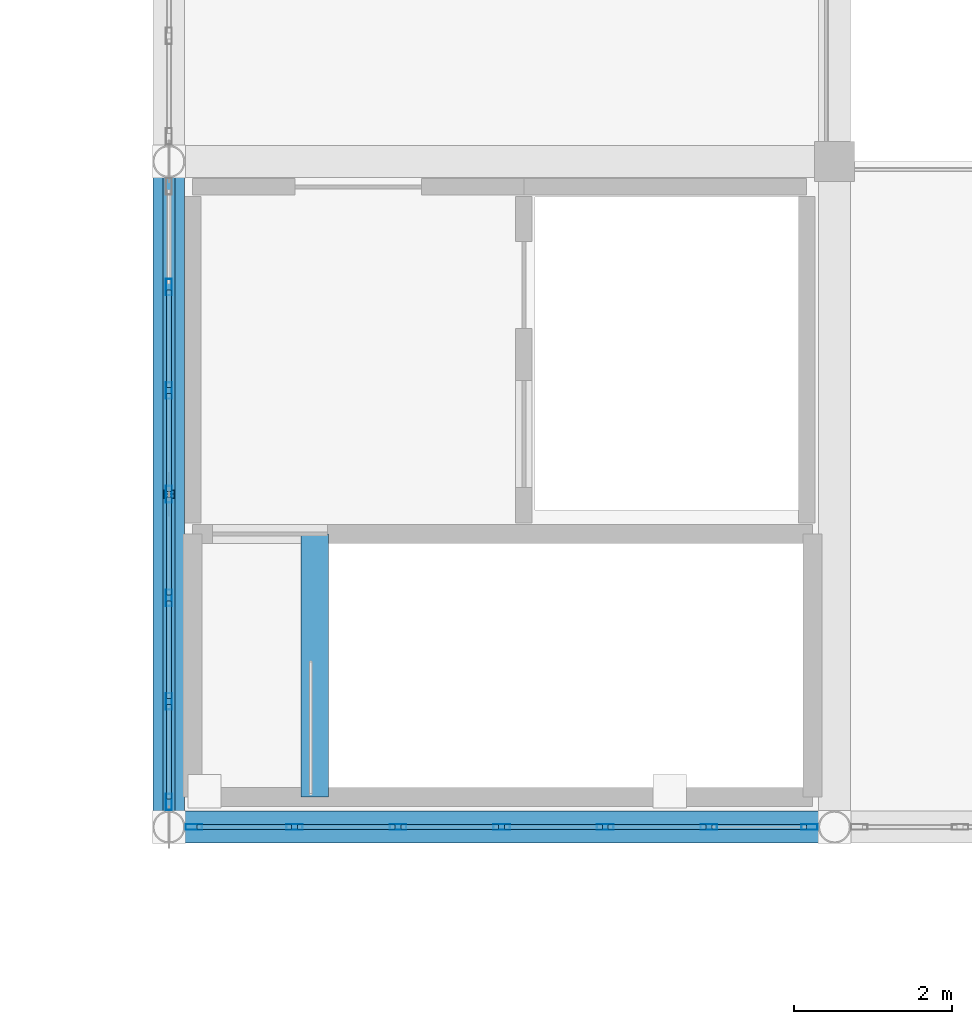
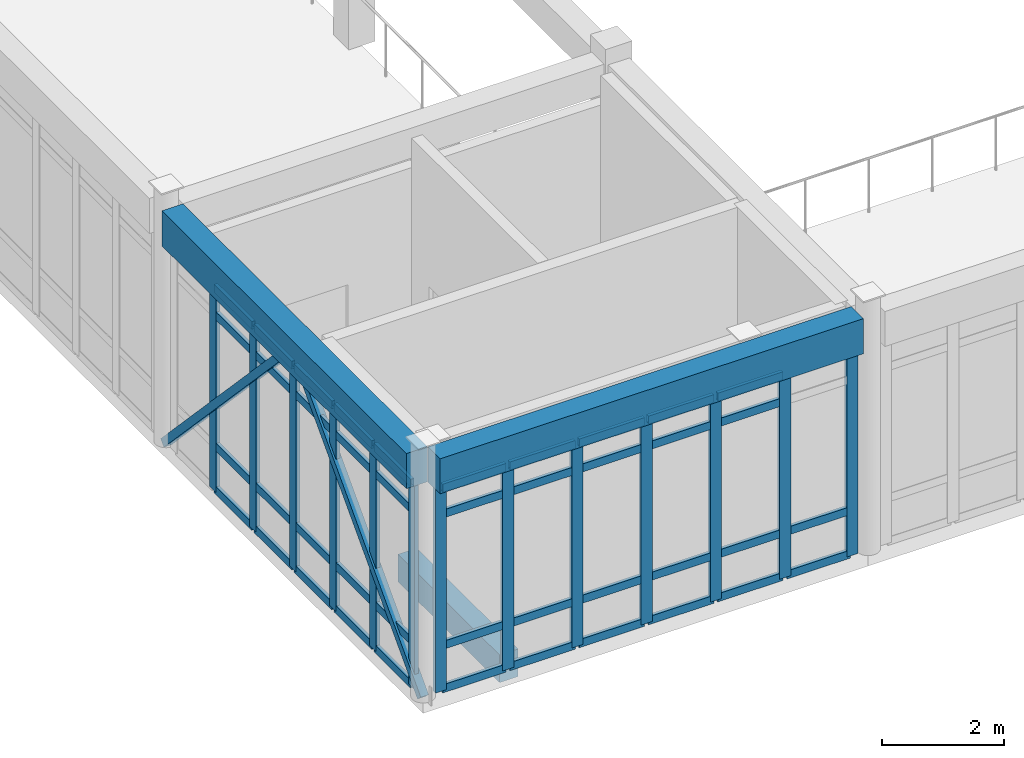
# One storey, part 9 of 134: 57 members, 3 beams, 2 elements without a shape of their own.
"""IFC4 building model written with IfcOpenShell, lengths in metres."""

from ifc_helpers import new_model, si_unit, direction, frame, origin, origin_2d, place, context, subcontext, project, spatial, rectangle, hollow_rectangle, extrude, material, layer, layer_set, material_profile, profile_set, type_object, element, aggregate, save


model = new_model("IFC4")

# Units and contexts
model_context = context("Model", 3, precision=1e-05, world=origin(), true_north=direction((0.0, 1.0)))
body_context = subcontext(model_context, "Body", "Model", "MODEL_VIEW")
ifc_project = project(units=[si_unit("LENGTHUNIT", "METRE"), si_unit("AREAUNIT", "SQUARE_METRE"), si_unit("VOLUMEUNIT", "CUBIC_METRE"), si_unit("PLANEANGLEUNIT", "RADIAN"), si_unit("MASSUNIT", "GRAM", prefix="KILO")], contexts=[model_context])

# Site, building, storey
site_placement = place(None, origin())
site = spatial("IfcSite", under=ifc_project, at=site_placement, CompositionType="ELEMENT")
building_placement = place(site_placement, origin())
building = spatial("IfcBuilding", under=site, at=building_placement, Name="Bramfleet General Hospital", CompositionType="ELEMENT")
storey_placement = place(building_placement, frame((0.0, 0.0, 9.300048828125)))
storey = spatial("IfcBuildingStorey", under=building, at=storey_placement, Name="L02", CompositionType="ELEMENT", Elevation=9.300048828125)

# Beams
ifc_material_1 = material(Name="Concrete C35/45", Category="concrete")
ifc_material_profile_1 = material_profile(ifc_material_1, rectangle(XDim=0.35009765625, YDim=0.550048828125, at=origin_2d()), Name="RC BM 550x350")
ifc_profile_set_1 = profile_set([ifc_material_profile_1], Name="Concrete C35/45")
beam_type_1 = type_object("IfcBeamType", Name="BM-RC550", PredefinedType="BEAM", material=ifc_profile_set_1)
beam_1_placement = place(storey_placement, frame((52.239990234375, 17.179931640625, -0.275146484375), z_axis=(0.0, 1.0, 0.0), x_axis=(-1.0, 0.0, 0.0)))
element("IfcBeam", 1, at=beam_1_placement, inside=storey, type_object=beam_type_1, Name="L02 C1 Stairwell Trimmer Beam", PredefinedType="BEAM", context=body_context, shape_type="SweptSolid", body=[
    extrude(rectangle(XDim=0.35009765625, YDim=0.550048828125, at=origin_2d()), origin(), (0.0, 0.0, 1.0), 3.320068359375),
])
ifc_material_profile_2 = material_profile(ifc_material_1, rectangle(XDim=0.39990234375, YDim=0.699951171875, at=origin_2d()), Name="RC SP 700x400")
ifc_profile_set_2 = profile_set([ifc_material_profile_2], Name="Concrete C35/45")
beam_type_2 = type_object("IfcBeamType", Name="BM-SP700", PredefinedType="SPANDREL", material=ifc_profile_set_2)
beam_2_placement = place(storey_placement, frame((50.603271484375, 16.800048828125, 4.429931640625), z_axis=(1.0, 0.0, 0.0), x_axis=(0.0, 1.0, 0.0)))
element("IfcBeam", 2, at=beam_2_placement, inside=storey, type_object=beam_type_2, Name="L02 Grid Beam X 06-02", PredefinedType="SPANDREL", context=body_context, shape_type="SweptSolid", body=[
    extrude(rectangle(XDim=0.39990234375, YDim=0.699951171875, at=origin_2d()), origin(), (0.0, 0.0, 1.0), 7.993408203125),
])
beam_3_placement = place(storey_placement, frame((50.39990234375, 17.003173828125, 4.429931640625), z_axis=(0.0, 1.0, 0.0), x_axis=(-1.0, 0.0, 0.0)))
element("IfcBeam", 3, at=beam_3_placement, inside=storey, type_object=beam_type_2, Name="L02 Grid Beam Y 06-02", PredefinedType="SPANDREL", context=body_context, shape_type="SweptSolid", body=[
    extrude(rectangle(XDim=0.39990234375, YDim=0.699951171875, at=origin_2d()), origin(), (0.0, 0.0, 1.0), 7.99365234375),
])

# Curtain wall, members
ifc_material_2 = material(Name="Anodised aluminium and low-E triple glazing", Category="aluminium")
ifc_layer_1 = layer(ifc_material_2, 0.179931640625, Name="CWT-CW-07")
ifc_layer_set_1 = layer_set([ifc_layer_1], Name="Anodised aluminium and low-E triple glazing")
curtain_wall_type_1 = type_object("IfcCurtainWallType", Name="CWT-CW-07", PredefinedType="USERDEFINED", material=ifc_layer_set_1)
curtain_wall_1_placement = place(storey_placement, origin())
curtain_wall_1 = element("IfcCurtainWall", 4, at=curtain_wall_1_placement, inside=storey, type_object=curtain_wall_type_1, Name="L02 Curtain Wall 133", ObjectType="Unitised curtain wall", PredefinedType="USERDEFINED")
ifc_material_3 = material(Name="Anodised aluminium EN AW-6060", Category="aluminium")
ifc_material_profile_3 = material_profile(ifc_material_3, hollow_rectangle(XDim=0.074951171875, YDim=0.2099609375, WallThickness=0.00439453125, at=origin_2d()), Name="ALU 210x75x4.5")
ifc_profile_set_3 = profile_set([ifc_material_profile_3], Name="Anodised aluminium EN AW-6060")
member_type_1 = type_object("IfcMemberType", Name="CWM-ALU210", PredefinedType="MULLION", material=ifc_profile_set_3)
member_1_placement = place(storey_placement, frame((58.484619140625, 16.800048828125, 0.0), z_axis=(0.0, 0.0, 1.0), x_axis=(0.0, -1.0, 0.0)))
member_1 = element("IfcMember", 5, at=member_1_placement, type_object=member_type_1, Name="CW-07 mullion 1", PredefinedType="MULLION", context=body_context, shape_type="SweptSolid", body=[
    extrude(hollow_rectangle(XDim=0.074951171875, YDim=0.2099609375, WallThickness=0.00439453125, at=origin_2d()), origin(), (0.0, 0.0, 1.0), 4.070068359375),
])
member_2_placement = place(storey_placement, frame((57.214599609375, 16.800048828125, 0.0), z_axis=(0.0, 0.0, 1.0), x_axis=(0.0, -1.0, 0.0)))
member_2 = element("IfcMember", 6, at=member_2_placement, type_object=member_type_1, Name="CW-07 mullion 2", PredefinedType="MULLION", context=body_context, shape_type="SweptSolid", body=[
    extrude(hollow_rectangle(XDim=0.074951171875, YDim=0.2099609375, WallThickness=0.00439453125, at=origin_2d()), origin(), (0.0, 0.0, 1.0), 4.070068359375),
])
member_3_placement = place(storey_placement, frame((55.9072265625, 16.800048828125, 0.0), z_axis=(0.0, 0.0, 1.0), x_axis=(0.0, -1.0, 0.0)))
member_3 = element("IfcMember", 7, at=member_3_placement, type_object=member_type_1, Name="CW-07 mullion 3", PredefinedType="MULLION", context=body_context, shape_type="SweptSolid", body=[
    extrude(hollow_rectangle(XDim=0.074951171875, YDim=0.2099609375, WallThickness=0.00439453125, at=origin_2d()), origin(), (0.0, 0.0, 1.0), 4.070068359375),
])
member_4_placement = place(storey_placement, frame((54.60009765625, 16.800048828125, 0.0), z_axis=(0.0, 0.0, 1.0), x_axis=(0.0, -1.0, 0.0)))
member_4 = element("IfcMember", 8, at=member_4_placement, type_object=member_type_1, Name="CW-07 mullion 4", PredefinedType="MULLION", context=body_context, shape_type="SweptSolid", body=[
    extrude(hollow_rectangle(XDim=0.074951171875, YDim=0.2099609375, WallThickness=0.00439453125, at=origin_2d()), origin(), (0.0, 0.0, 1.0), 4.070068359375),
])
member_5_placement = place(storey_placement, frame((53.292724609375, 16.800048828125, 0.0), z_axis=(0.0, 0.0, 1.0), x_axis=(0.0, -1.0, 0.0)))
member_5 = element("IfcMember", 9, at=member_5_placement, type_object=member_type_1, Name="CW-07 mullion 5", PredefinedType="MULLION", context=body_context, shape_type="SweptSolid", body=[
    extrude(hollow_rectangle(XDim=0.074951171875, YDim=0.2099609375, WallThickness=0.00439453125, at=origin_2d()), origin(), (0.0, 0.0, 1.0), 4.070068359375),
])
member_6_placement = place(storey_placement, frame((51.9853515625, 16.800048828125, 0.0), z_axis=(0.0, 0.0, 1.0), x_axis=(0.0, -1.0, 0.0)))
member_6 = element("IfcMember", 10, at=member_6_placement, type_object=member_type_1, Name="CW-07 mullion 6", PredefinedType="MULLION", context=body_context, shape_type="SweptSolid", body=[
    extrude(hollow_rectangle(XDim=0.074951171875, YDim=0.2099609375, WallThickness=0.00439453125, at=origin_2d()), origin(), (0.0, 0.0, 1.0), 4.070068359375),
])
member_7_placement = place(storey_placement, frame((50.715576171875, 16.800048828125, 0.0), z_axis=(0.0, 0.0, 1.0), x_axis=(0.0, -1.0, 0.0)))
member_7 = element("IfcMember", 11, at=member_7_placement, type_object=member_type_1, Name="CW-07 mullion 7", PredefinedType="MULLION", context=body_context, shape_type="SweptSolid", body=[
    extrude(hollow_rectangle(XDim=0.074951171875, YDim=0.2099609375, WallThickness=0.00439453125, at=origin_2d()), origin(), (0.0, 0.0, 1.0), 4.070068359375),
])

ifc_layer_2 = layer(ifc_material_2, 0.179931640625, Name="CWT-CW-08")
ifc_layer_set_2 = layer_set([ifc_layer_2], Name="Anodised aluminium and low-E triple glazing")
curtain_wall_type_2 = type_object("IfcCurtainWallType", Name="CWT-CW-08", PredefinedType="USERDEFINED", material=ifc_layer_set_2)
curtain_wall_2_placement = place(storey_placement, origin())
curtain_wall_2 = element("IfcCurtainWall", 12, at=curtain_wall_2_placement, inside=storey, type_object=curtain_wall_type_2, Name="L02 Curtain Wall 134", ObjectType="Unitised curtain wall", PredefinedType="USERDEFINED")
member_8_placement = place(storey_placement, frame((50.39990234375, 17.115478515625, 0.0), z_axis=(0.0, 0.0, 1.0), x_axis=(-1.0, 0.0, 0.0)))
member_8 = element("IfcMember", 13, at=member_8_placement, type_object=member_type_1, Name="CW-08 mullion 1", PredefinedType="MULLION", context=body_context, shape_type="SweptSolid", body=[
    extrude(hollow_rectangle(XDim=0.074951171875, YDim=0.2099609375, WallThickness=0.00439453125, at=origin_2d()), origin(), (0.0, 0.0, 1.0), 4.070068359375),
])
member_9_placement = place(storey_placement, frame((50.39990234375, 18.38525390625, 0.0), z_axis=(0.0, 0.0, 1.0), x_axis=(-1.0, 0.0, 0.0)))
member_9 = element("IfcMember", 14, at=member_9_placement, type_object=member_type_1, Name="CW-08 mullion 2", PredefinedType="MULLION", context=body_context, shape_type="SweptSolid", body=[
    extrude(hollow_rectangle(XDim=0.074951171875, YDim=0.2099609375, WallThickness=0.00439453125, at=origin_2d()), origin(), (0.0, 0.0, 1.0), 4.070068359375),
])
member_10_placement = place(storey_placement, frame((50.39990234375, 19.692626953125, 0.0), z_axis=(0.0, 0.0, 1.0), x_axis=(-1.0, 0.0, 0.0)))
member_10 = element("IfcMember", 15, at=member_10_placement, type_object=member_type_1, Name="CW-08 mullion 3", PredefinedType="MULLION", context=body_context, shape_type="SweptSolid", body=[
    extrude(hollow_rectangle(XDim=0.074951171875, YDim=0.2099609375, WallThickness=0.00439453125, at=origin_2d()), origin(), (0.0, 0.0, 1.0), 4.070068359375),
])
member_11_placement = place(storey_placement, frame((50.39990234375, 21.0, 0.0), z_axis=(0.0, 0.0, 1.0), x_axis=(-1.0, 0.0, 0.0)))
member_11 = element("IfcMember", 16, at=member_11_placement, type_object=member_type_1, Name="CW-08 mullion 4", PredefinedType="MULLION", context=body_context, shape_type="SweptSolid", body=[
    extrude(hollow_rectangle(XDim=0.074951171875, YDim=0.2099609375, WallThickness=0.00439453125, at=origin_2d()), origin(), (0.0, 0.0, 1.0), 4.070068359375),
])
member_12_placement = place(storey_placement, frame((50.39990234375, 22.307373046875, 0.0), z_axis=(0.0, 0.0, 1.0), x_axis=(-1.0, 0.0, 0.0)))
member_12 = element("IfcMember", 17, at=member_12_placement, type_object=member_type_1, Name="CW-08 mullion 5", PredefinedType="MULLION", context=body_context, shape_type="SweptSolid", body=[
    extrude(hollow_rectangle(XDim=0.074951171875, YDim=0.2099609375, WallThickness=0.00439453125, at=origin_2d()), origin(), (0.0, 0.0, 1.0), 4.070068359375),
])
member_13_placement = place(storey_placement, frame((50.39990234375, 23.61474609375, 0.0), z_axis=(0.0, 0.0, 1.0), x_axis=(-1.0, 0.0, 0.0)))
member_13 = element("IfcMember", 18, at=member_13_placement, type_object=member_type_1, Name="CW-08 mullion 6", PredefinedType="MULLION", context=body_context, shape_type="SweptSolid", body=[
    extrude(hollow_rectangle(XDim=0.074951171875, YDim=0.2099609375, WallThickness=0.00439453125, at=origin_2d()), origin(), (0.0, 0.0, 1.0), 4.070068359375),
])

# Member
ifc_material_profile_4 = material_profile(ifc_material_3, hollow_rectangle(XDim=0.06494140625, YDim=0.159912109375, WallThickness=0.00390625, at=origin_2d()), Name="ALU 160x65x4.0")
ifc_profile_set_4 = profile_set([ifc_material_profile_4], Name="Anodised aluminium EN AW-6060")
member_type_2 = type_object("IfcMemberType", Name="CWT-ALU160", PredefinedType="USERDEFINED", material=ifc_profile_set_4)
member_14_placement = place(storey_placement, frame((58.447021484375, 16.800048828125, 0.032470703125), z_axis=(-1.0, 0.0, 0.0), x_axis=(0.0, -1.0, 0.0)))
member_14 = element("IfcMember", 19, at=member_14_placement, type_object=member_type_2, Name="CW-07 transom 1.1", ObjectType="TRANSOM", PredefinedType="USERDEFINED", context=body_context, shape_type="SweptSolid", body=[
    extrude(hollow_rectangle(XDim=0.06494140625, YDim=0.159912109375, WallThickness=0.00390625, at=origin_2d()), origin(), (0.0, 0.0, 1.0), 1.19482421875),
])

member_15_placement = place(storey_placement, frame((58.447021484375, 16.800048828125, 0.89990234375), z_axis=(-1.0, 0.0, 0.0), x_axis=(0.0, -1.0, 0.0)))
member_15 = element("IfcMember", 20, at=member_15_placement, type_object=member_type_2, Name="CW-07 transom 1.2", ObjectType="TRANSOM", PredefinedType="USERDEFINED", context=body_context, shape_type="SweptSolid", body=[
    extrude(hollow_rectangle(XDim=0.06494140625, YDim=0.159912109375, WallThickness=0.00390625, at=origin_2d()), origin(), (0.0, 0.0, 1.0), 1.19482421875),
])

member_16_placement = place(storey_placement, frame((57.17724609375, 16.800048828125, 0.032470703125), z_axis=(-1.0, 0.0, 0.0), x_axis=(0.0, -1.0, 0.0)))
member_16 = element("IfcMember", 21, at=member_16_placement, type_object=member_type_2, Name="CW-07 transom 2.1", ObjectType="TRANSOM", PredefinedType="USERDEFINED", context=body_context, shape_type="SweptSolid", body=[
    extrude(hollow_rectangle(XDim=0.06494140625, YDim=0.159912109375, WallThickness=0.00390625, at=origin_2d()), origin(), (0.0, 0.0, 1.0), 1.232421875),
])

member_17_placement = place(storey_placement, frame((57.17724609375, 16.800048828125, 0.89990234375), z_axis=(-1.0, 0.0, 0.0), x_axis=(0.0, -1.0, 0.0)))
member_17 = element("IfcMember", 22, at=member_17_placement, type_object=member_type_2, Name="CW-07 transom 2.2", ObjectType="TRANSOM", PredefinedType="USERDEFINED", context=body_context, shape_type="SweptSolid", body=[
    extrude(hollow_rectangle(XDim=0.06494140625, YDim=0.159912109375, WallThickness=0.00390625, at=origin_2d()), origin(), (0.0, 0.0, 1.0), 1.232421875),
])

member_18_placement = place(storey_placement, frame((57.17724609375, 16.800048828125, 3.52001953125), z_axis=(-1.0, 0.0, 0.0), x_axis=(0.0, -1.0, 0.0)))
member_18 = element("IfcMember", 23, at=member_18_placement, type_object=member_type_2, Name="CW-07 transom 2.3", ObjectType="TRANSOM", PredefinedType="USERDEFINED", context=body_context, shape_type="SweptSolid", body=[
    extrude(hollow_rectangle(XDim=0.06494140625, YDim=0.159912109375, WallThickness=0.00390625, at=origin_2d()), origin(), (0.0, 0.0, 1.0), 1.232421875),
])

member_19_placement = place(storey_placement, frame((57.17724609375, 16.800048828125, 4.037353515625), z_axis=(-1.0, 0.0, 0.0), x_axis=(0.0, -1.0, 0.0)))
member_19 = element("IfcMember", 24, at=member_19_placement, type_object=member_type_2, Name="CW-07 transom 2.4", ObjectType="TRANSOM", PredefinedType="USERDEFINED", context=body_context, shape_type="SweptSolid", body=[
    extrude(hollow_rectangle(XDim=0.06494140625, YDim=0.159912109375, WallThickness=0.00390625, at=origin_2d()), origin(), (0.0, 0.0, 1.0), 1.232421875),
])

member_20_placement = place(storey_placement, frame((55.869873046875, 16.800048828125, 0.032470703125), z_axis=(-1.0, 0.0, 0.0), x_axis=(0.0, -1.0, 0.0)))
member_20 = element("IfcMember", 25, at=member_20_placement, type_object=member_type_2, Name="CW-07 transom 3.1", ObjectType="TRANSOM", PredefinedType="USERDEFINED", context=body_context, shape_type="SweptSolid", body=[
    extrude(hollow_rectangle(XDim=0.06494140625, YDim=0.159912109375, WallThickness=0.00390625, at=origin_2d()), origin(), (0.0, 0.0, 1.0), 1.232421875),
])

member_21_placement = place(storey_placement, frame((55.869873046875, 16.800048828125, 0.89990234375), z_axis=(-1.0, 0.0, 0.0), x_axis=(0.0, -1.0, 0.0)))
member_21 = element("IfcMember", 26, at=member_21_placement, type_object=member_type_2, Name="CW-07 transom 3.2", ObjectType="TRANSOM", PredefinedType="USERDEFINED", context=body_context, shape_type="SweptSolid", body=[
    extrude(hollow_rectangle(XDim=0.06494140625, YDim=0.159912109375, WallThickness=0.00390625, at=origin_2d()), origin(), (0.0, 0.0, 1.0), 1.232421875),
])

member_22_placement = place(storey_placement, frame((55.869873046875, 16.800048828125, 3.52001953125), z_axis=(-1.0, 0.0, 0.0), x_axis=(0.0, -1.0, 0.0)))
member_22 = element("IfcMember", 27, at=member_22_placement, type_object=member_type_2, Name="CW-07 transom 3.3", ObjectType="TRANSOM", PredefinedType="USERDEFINED", context=body_context, shape_type="SweptSolid", body=[
    extrude(hollow_rectangle(XDim=0.06494140625, YDim=0.159912109375, WallThickness=0.00390625, at=origin_2d()), origin(), (0.0, 0.0, 1.0), 1.232421875),
])

member_23_placement = place(storey_placement, frame((55.869873046875, 16.800048828125, 4.037353515625), z_axis=(-1.0, 0.0, 0.0), x_axis=(0.0, -1.0, 0.0)))
member_23 = element("IfcMember", 28, at=member_23_placement, type_object=member_type_2, Name="CW-07 transom 3.4", ObjectType="TRANSOM", PredefinedType="USERDEFINED", context=body_context, shape_type="SweptSolid", body=[
    extrude(hollow_rectangle(XDim=0.06494140625, YDim=0.159912109375, WallThickness=0.00390625, at=origin_2d()), origin(), (0.0, 0.0, 1.0), 1.232421875),
])

member_24_placement = place(storey_placement, frame((54.5625, 16.800048828125, 0.032470703125), z_axis=(-1.0, 0.0, 0.0), x_axis=(0.0, -1.0, 0.0)))
member_24 = element("IfcMember", 29, at=member_24_placement, type_object=member_type_2, Name="CW-07 transom 4.1", ObjectType="TRANSOM", PredefinedType="USERDEFINED", context=body_context, shape_type="SweptSolid", body=[
    extrude(hollow_rectangle(XDim=0.06494140625, YDim=0.159912109375, WallThickness=0.00390625, at=origin_2d()), origin(), (0.0, 0.0, 1.0), 1.232421875),
])

member_25_placement = place(storey_placement, frame((54.5625, 16.800048828125, 0.89990234375), z_axis=(-1.0, 0.0, 0.0), x_axis=(0.0, -1.0, 0.0)))
member_25 = element("IfcMember", 30, at=member_25_placement, type_object=member_type_2, Name="CW-07 transom 4.2", ObjectType="TRANSOM", PredefinedType="USERDEFINED", context=body_context, shape_type="SweptSolid", body=[
    extrude(hollow_rectangle(XDim=0.06494140625, YDim=0.159912109375, WallThickness=0.00390625, at=origin_2d()), origin(), (0.0, 0.0, 1.0), 1.232421875),
])

member_26_placement = place(storey_placement, frame((54.5625, 16.800048828125, 3.52001953125), z_axis=(-1.0, 0.0, 0.0), x_axis=(0.0, -1.0, 0.0)))
member_26 = element("IfcMember", 31, at=member_26_placement, type_object=member_type_2, Name="CW-07 transom 4.3", ObjectType="TRANSOM", PredefinedType="USERDEFINED", context=body_context, shape_type="SweptSolid", body=[
    extrude(hollow_rectangle(XDim=0.06494140625, YDim=0.159912109375, WallThickness=0.00390625, at=origin_2d()), origin(), (0.0, 0.0, 1.0), 1.232421875),
])

member_27_placement = place(storey_placement, frame((54.5625, 16.800048828125, 4.037353515625), z_axis=(-1.0, 0.0, 0.0), x_axis=(0.0, -1.0, 0.0)))
member_27 = element("IfcMember", 32, at=member_27_placement, type_object=member_type_2, Name="CW-07 transom 4.4", ObjectType="TRANSOM", PredefinedType="USERDEFINED", context=body_context, shape_type="SweptSolid", body=[
    extrude(hollow_rectangle(XDim=0.06494140625, YDim=0.159912109375, WallThickness=0.00390625, at=origin_2d()), origin(), (0.0, 0.0, 1.0), 1.232421875),
])

member_28_placement = place(storey_placement, frame((53.255126953125, 16.800048828125, 0.032470703125), z_axis=(-1.0, 0.0, 0.0), x_axis=(0.0, -1.0, 0.0)))
member_28 = element("IfcMember", 33, at=member_28_placement, type_object=member_type_2, Name="CW-07 transom 5.1", ObjectType="TRANSOM", PredefinedType="USERDEFINED", context=body_context, shape_type="SweptSolid", body=[
    extrude(hollow_rectangle(XDim=0.06494140625, YDim=0.159912109375, WallThickness=0.00390625, at=origin_2d()), origin(), (0.0, 0.0, 1.0), 1.232177734375),
])

member_29_placement = place(storey_placement, frame((53.255126953125, 16.800048828125, 0.89990234375), z_axis=(-1.0, 0.0, 0.0), x_axis=(0.0, -1.0, 0.0)))
member_29 = element("IfcMember", 34, at=member_29_placement, type_object=member_type_2, Name="CW-07 transom 5.2", ObjectType="TRANSOM", PredefinedType="USERDEFINED", context=body_context, shape_type="SweptSolid", body=[
    extrude(hollow_rectangle(XDim=0.06494140625, YDim=0.159912109375, WallThickness=0.00390625, at=origin_2d()), origin(), (0.0, 0.0, 1.0), 1.232177734375),
])

member_30_placement = place(storey_placement, frame((53.255126953125, 16.800048828125, 3.52001953125), z_axis=(-1.0, 0.0, 0.0), x_axis=(0.0, -1.0, 0.0)))
member_30 = element("IfcMember", 35, at=member_30_placement, type_object=member_type_2, Name="CW-07 transom 5.3", ObjectType="TRANSOM", PredefinedType="USERDEFINED", context=body_context, shape_type="SweptSolid", body=[
    extrude(hollow_rectangle(XDim=0.06494140625, YDim=0.159912109375, WallThickness=0.00390625, at=origin_2d()), origin(), (0.0, 0.0, 1.0), 1.232177734375),
])

member_31_placement = place(storey_placement, frame((53.255126953125, 16.800048828125, 4.037353515625), z_axis=(-1.0, 0.0, 0.0), x_axis=(0.0, -1.0, 0.0)))
member_31 = element("IfcMember", 36, at=member_31_placement, type_object=member_type_2, Name="CW-07 transom 5.4", ObjectType="TRANSOM", PredefinedType="USERDEFINED", context=body_context, shape_type="SweptSolid", body=[
    extrude(hollow_rectangle(XDim=0.06494140625, YDim=0.159912109375, WallThickness=0.00390625, at=origin_2d()), origin(), (0.0, 0.0, 1.0), 1.232177734375),
])

member_32_placement = place(storey_placement, frame((51.94775390625, 16.800048828125, 0.032470703125), z_axis=(-1.0, 0.0, 0.0), x_axis=(0.0, -1.0, 0.0)))
member_32 = element("IfcMember", 37, at=member_32_placement, type_object=member_type_2, Name="CW-07 transom 6.1", ObjectType="TRANSOM", PredefinedType="USERDEFINED", context=body_context, shape_type="SweptSolid", body=[
    extrude(hollow_rectangle(XDim=0.06494140625, YDim=0.159912109375, WallThickness=0.00390625, at=origin_2d()), origin(), (0.0, 0.0, 1.0), 1.19482421875),
])

member_33_placement = place(storey_placement, frame((51.94775390625, 16.800048828125, 0.89990234375), z_axis=(-1.0, 0.0, 0.0), x_axis=(0.0, -1.0, 0.0)))
member_33 = element("IfcMember", 38, at=member_33_placement, type_object=member_type_2, Name="CW-07 transom 6.2", ObjectType="TRANSOM", PredefinedType="USERDEFINED", context=body_context, shape_type="SweptSolid", body=[
    extrude(hollow_rectangle(XDim=0.06494140625, YDim=0.159912109375, WallThickness=0.00390625, at=origin_2d()), origin(), (0.0, 0.0, 1.0), 1.19482421875),
])

member_34_placement = place(storey_placement, frame((51.94775390625, 16.800048828125, 3.52001953125), z_axis=(-1.0, 0.0, 0.0), x_axis=(0.0, -1.0, 0.0)))
member_34 = element("IfcMember", 39, at=member_34_placement, type_object=member_type_2, Name="CW-07 transom 6.3", ObjectType="TRANSOM", PredefinedType="USERDEFINED", context=body_context, shape_type="SweptSolid", body=[
    extrude(hollow_rectangle(XDim=0.06494140625, YDim=0.159912109375, WallThickness=0.00390625, at=origin_2d()), origin(), (0.0, 0.0, 1.0), 1.19482421875),
])

member_35_placement = place(storey_placement, frame((51.94775390625, 16.800048828125, 4.037353515625), z_axis=(-1.0, 0.0, 0.0), x_axis=(0.0, -1.0, 0.0)))
member_35 = element("IfcMember", 40, at=member_35_placement, type_object=member_type_2, Name="CW-07 transom 6.4", ObjectType="TRANSOM", PredefinedType="USERDEFINED", context=body_context, shape_type="SweptSolid", body=[
    extrude(hollow_rectangle(XDim=0.06494140625, YDim=0.159912109375, WallThickness=0.00390625, at=origin_2d()), origin(), (0.0, 0.0, 1.0), 1.19482421875),
])

aggregate(curtain_wall_1, [member_1, member_2, member_3, member_4, member_5, member_6, member_7, member_14, member_15, member_16, member_17, member_18, member_19, member_20, member_21, member_22, member_23, member_24, member_25, member_26, member_27, member_28, member_29, member_30, member_31, member_32, member_33, member_34, member_35])

member_36_placement = place(storey_placement, frame((50.39990234375, 17.153076171875, 0.032470703125), z_axis=(0.0, 1.0, 0.0), x_axis=(-1.0, 0.0, 0.0)))
member_36 = element("IfcMember", 41, at=member_36_placement, type_object=member_type_2, Name="CW-08 transom 1.1", ObjectType="TRANSOM", PredefinedType="USERDEFINED", context=body_context, shape_type="SweptSolid", body=[
    extrude(hollow_rectangle(XDim=0.06494140625, YDim=0.159912109375, WallThickness=0.00390625, at=origin_2d()), origin(), (0.0, 0.0, 1.0), 1.19482421875),
])

member_37_placement = place(storey_placement, frame((50.39990234375, 17.153076171875, 0.89990234375), z_axis=(0.0, 1.0, 0.0), x_axis=(-1.0, 0.0, 0.0)))
member_37 = element("IfcMember", 42, at=member_37_placement, type_object=member_type_2, Name="CW-08 transom 1.2", ObjectType="TRANSOM", PredefinedType="USERDEFINED", context=body_context, shape_type="SweptSolid", body=[
    extrude(hollow_rectangle(XDim=0.06494140625, YDim=0.159912109375, WallThickness=0.00390625, at=origin_2d()), origin(), (0.0, 0.0, 1.0), 1.19482421875),
])

member_38_placement = place(storey_placement, frame((50.39990234375, 17.153076171875, 3.52001953125), z_axis=(0.0, 1.0, 0.0), x_axis=(-1.0, 0.0, 0.0)))
member_38 = element("IfcMember", 43, at=member_38_placement, type_object=member_type_2, Name="CW-08 transom 1.3", ObjectType="TRANSOM", PredefinedType="USERDEFINED", context=body_context, shape_type="SweptSolid", body=[
    extrude(hollow_rectangle(XDim=0.06494140625, YDim=0.159912109375, WallThickness=0.00390625, at=origin_2d()), origin(), (0.0, 0.0, 1.0), 1.19482421875),
])

member_39_placement = place(storey_placement, frame((50.39990234375, 17.153076171875, 4.037353515625), z_axis=(0.0, 1.0, 0.0), x_axis=(-1.0, 0.0, 0.0)))
member_39 = element("IfcMember", 44, at=member_39_placement, type_object=member_type_2, Name="CW-08 transom 1.4", ObjectType="TRANSOM", PredefinedType="USERDEFINED", context=body_context, shape_type="SweptSolid", body=[
    extrude(hollow_rectangle(XDim=0.06494140625, YDim=0.159912109375, WallThickness=0.00390625, at=origin_2d()), origin(), (0.0, 0.0, 1.0), 1.19482421875),
])

member_40_placement = place(storey_placement, frame((50.39990234375, 18.4228515625, 0.032470703125), z_axis=(0.0, 1.0, 0.0), x_axis=(-1.0, 0.0, 0.0)))
member_40 = element("IfcMember", 45, at=member_40_placement, type_object=member_type_2, Name="CW-08 transom 2.1", ObjectType="TRANSOM", PredefinedType="USERDEFINED", context=body_context, shape_type="SweptSolid", body=[
    extrude(hollow_rectangle(XDim=0.06494140625, YDim=0.159912109375, WallThickness=0.00390625, at=origin_2d()), origin(), (0.0, 0.0, 1.0), 1.232421875),
])

member_41_placement = place(storey_placement, frame((50.39990234375, 18.4228515625, 0.89990234375), z_axis=(0.0, 1.0, 0.0), x_axis=(-1.0, 0.0, 0.0)))
member_41 = element("IfcMember", 46, at=member_41_placement, type_object=member_type_2, Name="CW-08 transom 2.2", ObjectType="TRANSOM", PredefinedType="USERDEFINED", context=body_context, shape_type="SweptSolid", body=[
    extrude(hollow_rectangle(XDim=0.06494140625, YDim=0.159912109375, WallThickness=0.00390625, at=origin_2d()), origin(), (0.0, 0.0, 1.0), 1.232421875),
])

member_42_placement = place(storey_placement, frame((50.39990234375, 18.4228515625, 3.52001953125), z_axis=(0.0, 1.0, 0.0), x_axis=(-1.0, 0.0, 0.0)))
member_42 = element("IfcMember", 47, at=member_42_placement, type_object=member_type_2, Name="CW-08 transom 2.3", ObjectType="TRANSOM", PredefinedType="USERDEFINED", context=body_context, shape_type="SweptSolid", body=[
    extrude(hollow_rectangle(XDim=0.06494140625, YDim=0.159912109375, WallThickness=0.00390625, at=origin_2d()), origin(), (0.0, 0.0, 1.0), 1.232421875),
])

member_43_placement = place(storey_placement, frame((50.39990234375, 18.4228515625, 4.037353515625), z_axis=(0.0, 1.0, 0.0), x_axis=(-1.0, 0.0, 0.0)))
member_43 = element("IfcMember", 48, at=member_43_placement, type_object=member_type_2, Name="CW-08 transom 2.4", ObjectType="TRANSOM", PredefinedType="USERDEFINED", context=body_context, shape_type="SweptSolid", body=[
    extrude(hollow_rectangle(XDim=0.06494140625, YDim=0.159912109375, WallThickness=0.00390625, at=origin_2d()), origin(), (0.0, 0.0, 1.0), 1.232421875),
])

member_44_placement = place(storey_placement, frame((50.39990234375, 19.730224609375, 0.032470703125), z_axis=(0.0, 1.0, 0.0), x_axis=(-1.0, 0.0, 0.0)))
member_44 = element("IfcMember", 49, at=member_44_placement, type_object=member_type_2, Name="CW-08 transom 3.1", ObjectType="TRANSOM", PredefinedType="USERDEFINED", context=body_context, shape_type="SweptSolid", body=[
    extrude(hollow_rectangle(XDim=0.06494140625, YDim=0.159912109375, WallThickness=0.00390625, at=origin_2d()), origin(), (0.0, 0.0, 1.0), 1.232177734375),
])

member_45_placement = place(storey_placement, frame((50.39990234375, 19.730224609375, 0.89990234375), z_axis=(0.0, 1.0, 0.0), x_axis=(-1.0, 0.0, 0.0)))
member_45 = element("IfcMember", 50, at=member_45_placement, type_object=member_type_2, Name="CW-08 transom 3.2", ObjectType="TRANSOM", PredefinedType="USERDEFINED", context=body_context, shape_type="SweptSolid", body=[
    extrude(hollow_rectangle(XDim=0.06494140625, YDim=0.159912109375, WallThickness=0.00390625, at=origin_2d()), origin(), (0.0, 0.0, 1.0), 1.232177734375),
])

member_46_placement = place(storey_placement, frame((50.39990234375, 19.730224609375, 3.52001953125), z_axis=(0.0, 1.0, 0.0), x_axis=(-1.0, 0.0, 0.0)))
member_46 = element("IfcMember", 51, at=member_46_placement, type_object=member_type_2, Name="CW-08 transom 3.3", ObjectType="TRANSOM", PredefinedType="USERDEFINED", context=body_context, shape_type="SweptSolid", body=[
    extrude(hollow_rectangle(XDim=0.06494140625, YDim=0.159912109375, WallThickness=0.00390625, at=origin_2d()), origin(), (0.0, 0.0, 1.0), 1.232177734375),
])

member_47_placement = place(storey_placement, frame((50.39990234375, 19.730224609375, 4.037353515625), z_axis=(0.0, 1.0, 0.0), x_axis=(-1.0, 0.0, 0.0)))
member_47 = element("IfcMember", 52, at=member_47_placement, type_object=member_type_2, Name="CW-08 transom 3.4", ObjectType="TRANSOM", PredefinedType="USERDEFINED", context=body_context, shape_type="SweptSolid", body=[
    extrude(hollow_rectangle(XDim=0.06494140625, YDim=0.159912109375, WallThickness=0.00390625, at=origin_2d()), origin(), (0.0, 0.0, 1.0), 1.232177734375),
])

member_48_placement = place(storey_placement, frame((50.39990234375, 21.03759765625, 0.032470703125), z_axis=(0.0, 1.0, 0.0), x_axis=(-1.0, 0.0, 0.0)))
member_48 = element("IfcMember", 53, at=member_48_placement, type_object=member_type_2, Name="CW-08 transom 4.1", ObjectType="TRANSOM", PredefinedType="USERDEFINED", context=body_context, shape_type="SweptSolid", body=[
    extrude(hollow_rectangle(XDim=0.06494140625, YDim=0.159912109375, WallThickness=0.00390625, at=origin_2d()), origin(), (0.0, 0.0, 1.0), 1.232177734375),
])

member_49_placement = place(storey_placement, frame((50.39990234375, 21.03759765625, 0.89990234375), z_axis=(0.0, 1.0, 0.0), x_axis=(-1.0, 0.0, 0.0)))
member_49 = element("IfcMember", 54, at=member_49_placement, type_object=member_type_2, Name="CW-08 transom 4.2", ObjectType="TRANSOM", PredefinedType="USERDEFINED", context=body_context, shape_type="SweptSolid", body=[
    extrude(hollow_rectangle(XDim=0.06494140625, YDim=0.159912109375, WallThickness=0.00390625, at=origin_2d()), origin(), (0.0, 0.0, 1.0), 1.232177734375),
])

member_50_placement = place(storey_placement, frame((50.39990234375, 21.03759765625, 3.52001953125), z_axis=(0.0, 1.0, 0.0), x_axis=(-1.0, 0.0, 0.0)))
member_50 = element("IfcMember", 55, at=member_50_placement, type_object=member_type_2, Name="CW-08 transom 4.3", ObjectType="TRANSOM", PredefinedType="USERDEFINED", context=body_context, shape_type="SweptSolid", body=[
    extrude(hollow_rectangle(XDim=0.06494140625, YDim=0.159912109375, WallThickness=0.00390625, at=origin_2d()), origin(), (0.0, 0.0, 1.0), 1.232177734375),
])

member_51_placement = place(storey_placement, frame((50.39990234375, 21.03759765625, 4.037353515625), z_axis=(0.0, 1.0, 0.0), x_axis=(-1.0, 0.0, 0.0)))
member_51 = element("IfcMember", 56, at=member_51_placement, type_object=member_type_2, Name="CW-08 transom 4.4", ObjectType="TRANSOM", PredefinedType="USERDEFINED", context=body_context, shape_type="SweptSolid", body=[
    extrude(hollow_rectangle(XDim=0.06494140625, YDim=0.159912109375, WallThickness=0.00390625, at=origin_2d()), origin(), (0.0, 0.0, 1.0), 1.232177734375),
])

member_52_placement = place(storey_placement, frame((50.39990234375, 22.3447265625, 0.032470703125), z_axis=(0.0, 1.0, 0.0), x_axis=(-1.0, 0.0, 0.0)))
member_52 = element("IfcMember", 57, at=member_52_placement, type_object=member_type_2, Name="CW-08 transom 5.1", ObjectType="TRANSOM", PredefinedType="USERDEFINED", context=body_context, shape_type="SweptSolid", body=[
    extrude(hollow_rectangle(XDim=0.06494140625, YDim=0.159912109375, WallThickness=0.00390625, at=origin_2d()), origin(), (0.0, 0.0, 1.0), 1.232421875),
])

member_53_placement = place(storey_placement, frame((50.39990234375, 22.3447265625, 0.89990234375), z_axis=(0.0, 1.0, 0.0), x_axis=(-1.0, 0.0, 0.0)))
member_53 = element("IfcMember", 58, at=member_53_placement, type_object=member_type_2, Name="CW-08 transom 5.2", ObjectType="TRANSOM", PredefinedType="USERDEFINED", context=body_context, shape_type="SweptSolid", body=[
    extrude(hollow_rectangle(XDim=0.06494140625, YDim=0.159912109375, WallThickness=0.00390625, at=origin_2d()), origin(), (0.0, 0.0, 1.0), 1.232421875),
])

member_54_placement = place(storey_placement, frame((50.39990234375, 22.3447265625, 3.52001953125), z_axis=(0.0, 1.0, 0.0), x_axis=(-1.0, 0.0, 0.0)))
member_54 = element("IfcMember", 59, at=member_54_placement, type_object=member_type_2, Name="CW-08 transom 5.3", ObjectType="TRANSOM", PredefinedType="USERDEFINED", context=body_context, shape_type="SweptSolid", body=[
    extrude(hollow_rectangle(XDim=0.06494140625, YDim=0.159912109375, WallThickness=0.00390625, at=origin_2d()), origin(), (0.0, 0.0, 1.0), 1.232421875),
])

member_55_placement = place(storey_placement, frame((50.39990234375, 22.3447265625, 4.037353515625), z_axis=(0.0, 1.0, 0.0), x_axis=(-1.0, 0.0, 0.0)))
member_55 = element("IfcMember", 60, at=member_55_placement, type_object=member_type_2, Name="CW-08 transom 5.4", ObjectType="TRANSOM", PredefinedType="USERDEFINED", context=body_context, shape_type="SweptSolid", body=[
    extrude(hollow_rectangle(XDim=0.06494140625, YDim=0.159912109375, WallThickness=0.00390625, at=origin_2d()), origin(), (0.0, 0.0, 1.0), 1.232421875),
])

aggregate(curtain_wall_2, [member_8, member_9, member_10, member_11, member_12, member_13, member_36, member_37, member_38, member_39, member_40, member_41, member_42, member_43, member_44, member_45, member_46, member_47, member_48, member_49, member_50, member_51, member_52, member_53, member_54, member_55])

# Members
ifc_material_4 = material(Name="Steel S355", Category="steel")
ifc_material_profile_5 = material_profile(ifc_material_4, hollow_rectangle(XDim=0.14990234375, YDim=0.14990234375, WallThickness=0.010009765625, at=origin_2d()), Name="SHS 150x150x10.0")
ifc_profile_set_5 = profile_set([ifc_material_profile_5], Name="Steel S355")
member_type_3 = type_object("IfcMemberType", Name="MEM-BR-SHS150", PredefinedType="BRACE", material=ifc_profile_set_5)
for number, where, z_axis, x_axis, name in (
    (61, (50.39990234375, 16.800048828125, -0.02001953125), (0.0, 0.686383320151, 0.727239945148), (-1.0, 0.0, 0.0), "L02 Chevron Brace 3A"),
    (62, (50.39990234375, 25.199951171875, -0.02001953125), (0.0, -0.686383320151, 0.727239945148), (1.0, 0.0, 0.0), "L02 Chevron Brace 3B"),
):
    element("IfcMember", number, at=place(storey_placement, frame(where, z_axis=z_axis, x_axis=x_axis)), inside=storey, type_object=member_type_3, Name=name, PredefinedType="BRACE", context=body_context, shape_type="SweptSolid", body=[
        extrude(hollow_rectangle(XDim=0.14990234375, YDim=0.14990234375, WallThickness=0.010009765625, at=origin_2d()), origin(), (0.0, 0.0, 1.0), 6.118896484375),
    ])

save(model, "model.ifc")
